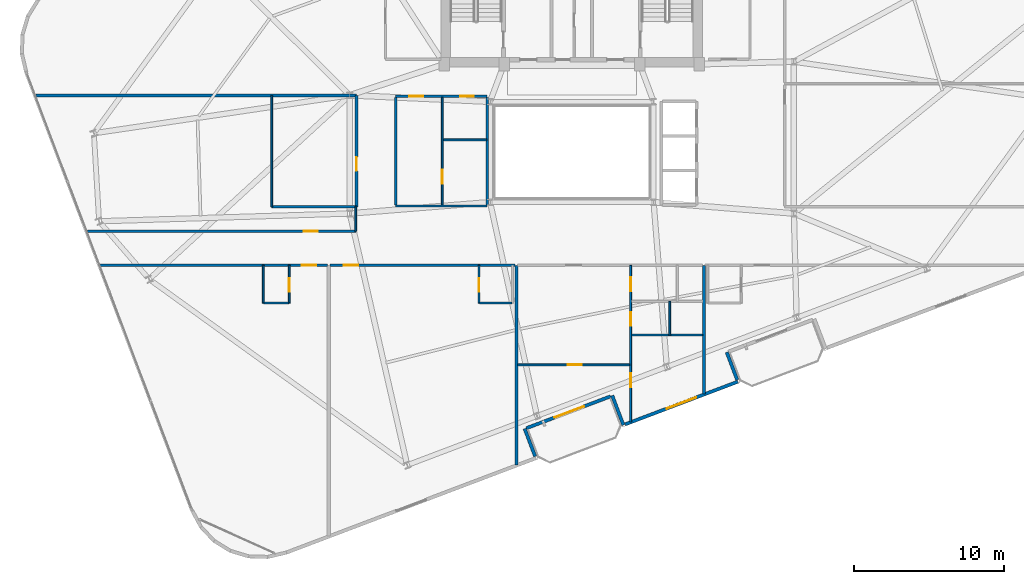
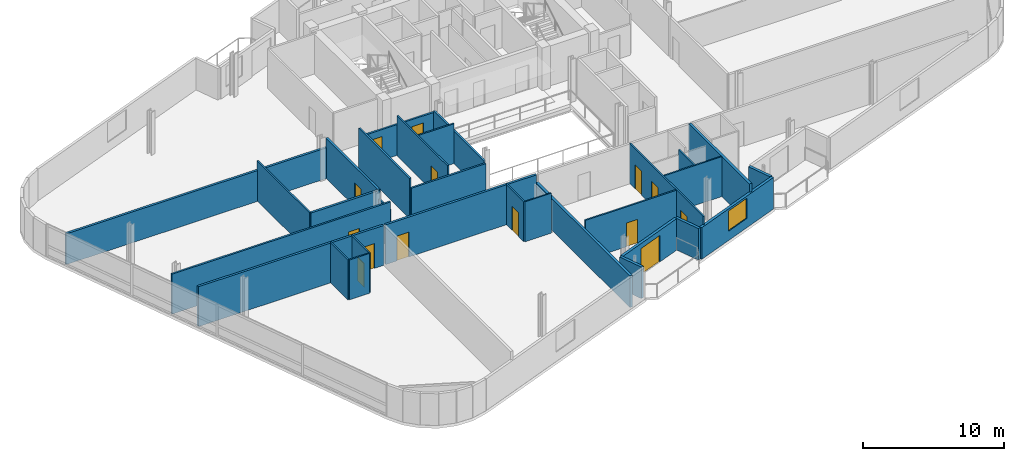
# One storey, part 18 of 23: 30 walls, 14 doors, 1 window, 15 openings.
"""IFC4 building model written with IfcOpenShell, lengths in metres."""

import ifcopenshell
import ifcopenshell.guid

model = None  # the IFC model being written
_history = None  # IfcOwnerHistory: only IFC2X3 demands one
_inside = {}  # id of a spatial element -> (the spatial element, [elements in it])
_under = {}  # id of a project, library or spatial element -> (it, [spatial elements below it])
_declared = {}  # id of a project -> (the project, [libraries it declares])
_typed = {}  # id of a type object -> (the type object, [elements of that type])
_made_of = {}  # id of a material, layer set ... -> (it, [elements and type objects made of it])


def new_model(schema):
    """Start an empty IFC model of exactly this schema.

    Asked for "IFC4X3", IfcOpenShell would pick the latest addendum, in which some entities
    have other attributes; the version numbers below select the first issue.
    IFC2X3 requires an IfcOwnerHistory on every rooted entity: one is made here for all.
    """
    global model, _history
    if schema == "IFC4X3":
        model = ifcopenshell.file(schema_version=(4, 3, 0, 0))
    else:
        model = ifcopenshell.file(schema=schema)
    _inside.clear()
    _under.clear()
    _declared.clear()
    _typed.clear()
    _made_of.clear()
    _history = None
    if model.schema == "IFC2X3":
        org = make("IfcOrganization", Name="unknown")
        user = make(
            "IfcPersonAndOrganization",
            ThePerson=make("IfcPerson", FamilyName="unknown"),
            TheOrganization=org,
        )
        app = make(
            "IfcApplication",
            ApplicationDeveloper=org,
            Version="unknown",
            ApplicationFullName="unknown",
            ApplicationIdentifier="unknown",
        )
        _history = make(
            "IfcOwnerHistory",
            OwningUser=user,
            OwningApplication=app,
            ChangeAction="ADDED",
            CreationDate=0,
        )
    return model


def make(cls, **values):
    """One entity of the class cls with the attributes given. An attribute that is None is left unset."""
    return model.create_entity(
        cls, **{name: value for name, value in values.items() if value is not None}
    )


def rooted(cls, **values):
    """An entity with a GlobalId (a new one), such as an element, a storey or a relation."""
    return make(cls, GlobalId=ifcopenshell.guid.new(), OwnerHistory=_history, **values)


def si_unit(unit_type, name, prefix=None):
    """IfcSIUnit, for example si_unit("LENGTHUNIT", "METRE", prefix="MILLI")."""
    return make("IfcSIUnit", UnitType=unit_type, Prefix=prefix, Name=name)


def assignment(units):
    """IfcUnitAssignment: the units of a project."""
    return None if units is None else make("IfcUnitAssignment", Units=units)


def point(xyz):
    """IfcCartesianPoint."""
    return None if xyz is None else make("IfcCartesianPoint", Coordinates=xyz)


def direction(xyz):
    """IfcDirection."""
    return None if xyz is None else make("IfcDirection", DirectionRatios=xyz)


def frame(location, z_axis=None, x_axis=None):
    """IfcAxis2Placement3D, a coordinate frame: its origin and axes. An axis left out is left unset."""
    return make(
        "IfcAxis2Placement3D",
        Location=point(location),
        Axis=direction(z_axis),
        RefDirection=direction(x_axis),
    )


def frame_2d(location, x_axis=None):
    """IfcAxis2Placement2D, a coordinate frame in the plane: its origin and x axis."""
    return make(
        "IfcAxis2Placement2D", Location=point(location), RefDirection=direction(x_axis)
    )


def origin():
    """The frame at (0, 0, 0) with its axes left unset."""
    return frame((0.0, 0.0, 0.0))


def place(relative_to, where):
    """IfcLocalPlacement: puts the frame where relative to a parent placement (None: the world)."""
    return make(
        "IfcLocalPlacement", PlacementRelTo=relative_to, RelativePlacement=where
    )


def context(
    kind, dimensions, precision=None, world=None, true_north=None, identifier=None
):
    """IfcGeometricRepresentationContext, for example the 3D "Model" context."""
    return make(
        "IfcGeometricRepresentationContext",
        ContextIdentifier=identifier,
        ContextType=kind,
        CoordinateSpaceDimension=dimensions,
        Precision=precision,
        WorldCoordinateSystem=world,
        TrueNorth=true_north,
    )


def subcontext(parent, identifier, kind, view, scale=None):
    """IfcGeometricRepresentationSubContext, for example "Body" below "Model"."""
    return make(
        "IfcGeometricRepresentationSubContext",
        ContextIdentifier=identifier,
        ContextType=kind,
        ParentContext=parent,
        TargetScale=scale,
        TargetView=view,
    )


def project(units=None, contexts=None):
    """IfcProject with its units and contexts."""
    return rooted(
        "IfcProject",
        Name="project",
        RepresentationContexts=contexts,
        UnitsInContext=assignment(units),
    )


def spatial(cls, under=None, at=None, **own):
    """A site, building, storey or space (cls), placed at a placement, below another one or the project."""
    s = rooted(cls, ObjectPlacement=at, **own)
    if under is not None:
        _under.setdefault(under.id(), (under, []))[1].append(s)
    return s


def profile(cls, at=None, kind="AREA", **sizes):
    """A parametric profile (cls). Its sizes go by their IFC names, for example OverallWidth=200.0."""
    return make(cls, ProfileType=kind, Position=at, **sizes)


def rectangle(**sizes):
    """IfcRectangleProfileDef."""
    return profile("IfcRectangleProfileDef", **sizes)


def extrude(swept, where, along, depth):
    """IfcExtrudedAreaSolid: the profile swept, set in the frame where, extruded along a direction by depth."""
    return make(
        "IfcExtrudedAreaSolid",
        SweptArea=swept,
        Position=where,
        ExtrudedDirection=direction(along),
        Depth=depth,
    )


def shape(context_of_items, identifier, shape_type, items):
    """IfcShapeRepresentation: the items that make up one representation, for example the "Body"."""
    return make(
        "IfcShapeRepresentation",
        ContextOfItems=context_of_items,
        RepresentationIdentifier=identifier,
        RepresentationType=shape_type,
        Items=items,
    )


def material(Name=None, Category=None):
    """IfcMaterial."""
    return make("IfcMaterial", Name=Name, Category=Category)


def layer(
    of_material, thickness, ventilated=None, Name=None, Category=None, Priority=None
):
    """IfcMaterialLayer: one layer of a wall or slab, of a material (None: an air gap)."""
    return make(
        "IfcMaterialLayer",
        Material=of_material,
        LayerThickness=thickness,
        IsVentilated=ventilated,
        Name=Name,
        Category=Category,
        Priority=Priority,
    )


def layer_set(layers, Name=None):
    """IfcMaterialLayerSet."""
    return make("IfcMaterialLayerSet", MaterialLayers=layers, LayerSetName=Name)


def made_of(thing, what):
    """Note that an element or type object is made of a material, layer set ...; save() writes the relation."""
    if what is not None:
        _made_of.setdefault(what.id(), (what, []))[1].append(thing)
    return thing


def type_object(cls, material=None, **own):
    """A type object (cls), such as IfcWallType, which elements share."""
    return made_of(rooted(cls, **own), material)


def element(
    cls,
    number,
    at=None,
    inside=None,
    cuts=None,
    type_object=None,
    material=None,
    context=None,
    identifier="Body",
    shape_type=None,
    held_by="IfcProductDefinitionShape",
    body=None,
    shapes=None,
    **own,
):
    """One element of the class cls, such as IfcWall. Its Tag is "e" and its number.

    at: its placement. inside: the storey or other place that contains it. cuts: it is an
    opening in that element (IfcRelVoidsElement). A single representation is given by context,
    identifier, shape_type and body (its items); several are given by shapes. held_by: the class
    of the entity that holds the representations. save() writes the other relations.
    """
    e = rooted(cls, Tag="e%d" % number, ObjectPlacement=at, **own)
    if body is not None:
        shapes = [shape(context, identifier, shape_type, body)]
    if shapes is not None:
        e.Representation = make(held_by, Representations=shapes)
    if inside is not None:
        _inside.setdefault(inside.id(), (inside, []))[1].append(e)
    if cuts is not None:
        rooted(
            "IfcRelVoidsElement", RelatingBuildingElement=cuts, RelatedOpeningElement=e
        )
    if type_object is not None:
        _typed.setdefault(type_object.id(), (type_object, []))[1].append(e)
    return made_of(e, material)


def fill(opening, filler):
    """IfcRelFillsElement: the door or window that sits in an opening."""
    return rooted(
        "IfcRelFillsElement",
        RelatingOpeningElement=opening,
        RelatedBuildingElement=filler,
    )


def aggregate(whole, parts):
    """IfcRelAggregates: a whole, such as a stair, and the parts it consists of."""
    return rooted("IfcRelAggregates", RelatingObject=whole, RelatedObjects=parts)


def save(model, path):
    """Write the relations noted so far, then the file.

    IfcRelAggregates (storeys below a building ...), IfcRelContainedInSpatialStructure (elements
    in a storey), IfcRelDefinesByType, IfcRelAssociatesMaterial and IfcRelDeclares: one each for
    every whole, place, type object, material and project.
    """
    for whole, parts in _under.values():
        aggregate(whole, parts)
    for where, things in _inside.values():
        rooted(
            "IfcRelContainedInSpatialStructure",
            RelatedElements=things,
            RelatingStructure=where,
        )
    for kind, things in _typed.values():
        rooted("IfcRelDefinesByType", RelatedObjects=things, RelatingType=kind)
    for what, things in _made_of.values():
        rooted("IfcRelAssociatesMaterial", RelatedObjects=things, RelatingMaterial=what)
    for by, libraries in _declared.values():
        rooted("IfcRelDeclares", RelatingContext=by, RelatedDefinitions=libraries)
    model.write(path)


model = new_model("IFC4")

# Units and contexts
model_context = context("Model", 3, precision=1e-05, world=origin(), true_north=direction((0.0, 1.0)))
body_context = subcontext(model_context, "Body", "Model", "MODEL_VIEW")
ifc_project = project(units=[si_unit("LENGTHUNIT", "METRE"), si_unit("AREAUNIT", "SQUARE_METRE"), si_unit("VOLUMEUNIT", "CUBIC_METRE"), si_unit("PLANEANGLEUNIT", "RADIAN"), si_unit("MASSUNIT", "GRAM", prefix="KILO")], contexts=[model_context])

# Site, building, storey
site_placement = place(None, origin())
site = spatial("IfcSite", under=ifc_project, at=site_placement, CompositionType="ELEMENT")
building_placement = place(site_placement, origin())
building = spatial("IfcBuilding", under=site, at=building_placement, Name="Varnelok Gate Tower", CompositionType="ELEMENT")
storey_placement = place(building_placement, frame((0.0, 0.0, 227.5)))
storey = spatial("IfcBuildingStorey", under=building, at=storey_placement, Name="L58", CompositionType="ELEMENT", Elevation=227.5)

# Wall, opening, door
ifc_material_1 = material(Name="Concrete C45/55", Category="concrete")
ifc_layer_1 = layer(ifc_material_1, 0.219970703125)
ifc_layer_set_1 = layer_set([ifc_layer_1], Name="Concrete C45/55")
wall_type_1 = type_object("IfcWallType", Name="EW-BALC-220", PredefinedType="SOLIDWALL", material=ifc_layer_set_1)
wall_1_placement = place(storey_placement, frame((41.783203125, 6.6142578125, 0.0), z_axis=(0.0, 0.0, 1.0), x_axis=(-0.93521416643, -0.354082565101, 0.0)))
wall_1 = element("IfcWall", 1, at=wall_1_placement, inside=storey, type_object=wall_type_1, Name="L58 South Terrace Envelope Wall 1", PredefinedType="SOLIDWALL", context=body_context, shape_type="SweptSolid", body=[
    extrude(rectangle(XDim=6.0, YDim=0.219970703125, at=frame_2d((3.0, 0.0))), origin(), (0.0, 0.0, 1.0), 2.72998046875),
])
opening_1_placement = place(wall_1_placement, frame((1.887939453125, 0.0, 0.0)))
opening_1 = element("IfcOpeningElement", 2, at=opening_1_placement, cuts=wall_1, Name="Opening BD-2", PredefinedType="OPENING", context=body_context, shape_type="SweptSolid", body=[
    extrude(rectangle(XDim=2.10009765625, YDim=2.300048828125, at=frame_2d((1.050048828125, 1.14990234375))), frame((0.0, 0.119873046875, 0.0), z_axis=(0.0, -1.0, 0.0), x_axis=(1.0, 0.0, 0.0)), (0.0, 0.0, 1.0), 0.239990234375),
])
ifc_material_2 = material(Name="Anodized Aluminum Alloy 6063-T6", Category="aluminium")
door_type_1 = type_object("IfcDoorType", Name="DR-EXT-SLID2100", OperationType="SLIDING_TO_LEFT", PredefinedType="DOOR", material=ifc_material_2)
door_1_placement = place(opening_1_placement, origin())
door_1 = element("IfcDoor", 3, at=door_1_placement, inside=storey, type_object=door_type_1, Name="L58 South Balcony Glazed Door 1", OperationType="SLIDING_TO_LEFT", OverallHeight=2.300048828125, OverallWidth=2.10009765625, PredefinedType="DOOR", context=body_context, shape_type="SweptSolid", body=[
    extrude(rectangle(XDim=2.10009765625, YDim=2.300048828125, at=frame_2d((1.050048828125, 1.14990234375))), frame((0.0, 0.02490234375, 0.0), z_axis=(0.0, -1.0, 0.0), x_axis=(1.0, 0.0, 0.0)), (0.0, 0.0, 1.0), 0.050048828125),
])
fill(opening_1, door_1)

# Walls
wall_2_placement = place(storey_placement, frame((36.75537109375, 2.609619140625, 0.0), z_axis=(0.0, 0.0, 1.0), x_axis=(-0.354020680661, 0.935237594232, 0.0)))
element("IfcWall", 4, at=wall_2_placement, inside=storey, type_object=wall_type_1, Name="L58 Perimeter Facade Closure Wall 8", PredefinedType="SOLIDWALL", context=body_context, shape_type="SweptSolid", body=[
    extrude(rectangle(XDim=1.97509765625, YDim=0.219970703125, at=frame_2d((0.987548828125, 0.0))), origin(), (0.0, 0.0, 1.0), 2.72998046875),
])
wall_3_placement = place(storey_placement, frame((41.891845703125, 6.666015625, 0.0), z_axis=(0.0, 0.0, 1.0), x_axis=(0.354128469405, -0.935196785258, 0.0)))
element("IfcWall", 5, at=wall_3_placement, inside=storey, type_object=wall_type_1, Name="L58 Perimeter Facade Closure Wall 9", PredefinedType="SOLIDWALL", context=body_context, shape_type="SweptSolid", body=[
    extrude(rectangle(XDim=2.099853515625, YDim=0.219970703125, at=frame_2d((1.0498046875, 0.0))), origin(), (0.0, 0.0, 1.0), 2.72998046875),
])

# Wall, opening, window
wall_4_placement = place(storey_placement, frame((42.75244140625, 4.746337890625, 0.0), z_axis=(0.0, 0.0, 1.0), x_axis=(0.935216926991, 0.354075273733, 0.0)))
wall_4 = element("IfcWall", 6, at=wall_4_placement, inside=storey, type_object=wall_type_1, Name="L58 Perimeter Facade Closure Wall 10", PredefinedType="SOLIDWALL", context=body_context, shape_type="SweptSolid", body=[
    extrude(rectangle(XDim=8.034912109375, YDim=0.219970703125, at=frame_2d((4.017578125, 0.0))), origin(), (0.0, 0.0, 1.0), 2.72998046875),
])
opening_2_placement = place(wall_4_placement, frame((2.967529296875, 0.0, 0.800048828125)))
opening_2 = element("IfcOpeningElement", 7, at=opening_2_placement, cuts=wall_4, Name="Opening WN4", PredefinedType="OPENING", context=body_context, shape_type="SweptSolid", body=[
    extrude(rectangle(XDim=2.10009765625, YDim=1.75, at=frame_2d((1.050048828125, 0.875))), frame((0.0, 0.119873046875, 0.0), z_axis=(0.0, -1.0, 0.0), x_axis=(1.0, 0.0, 0.0)), (0.0, 0.0, 1.0), 0.239990234375),
])
ifc_material_3 = material(Name="Low-E Laminated Double Glazing IGU", Category="glass")
window_type = type_object("IfcWindowType", Name="WN-SUI-2100", PartitioningType="SINGLE_PANEL", PredefinedType="WINDOW", material=ifc_material_3)
window_placement = place(opening_2_placement, origin())
window = element("IfcWindow", 8, at=window_placement, inside=storey, type_object=window_type, Name="L58 Perimeter Vision Window 10", OverallHeight=1.75, OverallWidth=2.10009765625, PartitioningType="SINGLE_PANEL", PredefinedType="WINDOW", context=body_context, shape_type="SweptSolid", body=[
    extrude(rectangle(XDim=2.10009765625, YDim=1.75, at=frame_2d((1.050048828125, 0.875))), frame((0.0, 0.030029296875, 0.0), z_axis=(0.0, -1.0, 0.0), x_axis=(1.0, 0.0, 0.0)), (0.0, 0.0, 1.0), 0.06005859375),
])
fill(opening_2, window)

# Wall
wall_5_placement = place(storey_placement, frame((50.22265625, 7.7080078125, 0.0), z_axis=(0.0, 0.0, 1.0), x_axis=(-0.354020680661, 0.935237594232, 0.0)))
element("IfcWall", 9, at=wall_5_placement, inside=storey, type_object=wall_type_1, Name="L58 Perimeter Facade Closure Wall 11", PredefinedType="SOLIDWALL", context=body_context, shape_type="SweptSolid", body=[
    extrude(rectangle(XDim=1.97509765625, YDim=0.219970703125, at=frame_2d((0.987548828125, 0.0))), origin(), (0.0, 0.0, 1.0), 2.72998046875),
])

# Wall, opening, door
ifc_material_4 = material(Name="Gypsum Plasterboard Acoustic Partition", Category="gypsum")
ifc_layer_2 = layer(ifc_material_4, 0.179931640625)
ifc_layer_set_2 = layer_set([ifc_layer_2], Name="Gypsum Plasterboard Acoustic Partition")
wall_type_2 = type_object("IfcWallType", Name="PW-CORR-180", PredefinedType="PARTITIONING", material=ifc_layer_set_2)
wall_6_placement = place(storey_placement, frame((7.763916015625, 15.35009765625, 0.0), z_axis=(0.0, 0.0, 1.0), x_axis=(1.0, 0.0, 0.0)))
wall_6 = element("IfcWall", 10, at=wall_6_placement, inside=storey, type_object=wall_type_2, Name="Interior Partition", PredefinedType="PARTITIONING", context=body_context, shape_type="SweptSolid", body=[
    extrude(rectangle(XDim=15.156005859375, YDim=0.179931640625, at=frame_2d((7.578125, 0.0))), origin(), (0.0, 0.0, 1.0), 3.449951171875),
])
opening_3_placement = place(wall_6_placement, frame((13.44970703125, 0.0, 0.0)))
opening_3 = element("IfcOpeningElement", 11, at=opening_3_placement, cuts=wall_6, Name="Opening D-HT", PredefinedType="OPENING", context=body_context, shape_type="SweptSolid", body=[
    extrude(rectangle(XDim=0.949951171875, YDim=2.14990234375, at=frame_2d((0.47509765625, 1.074951171875))), frame((0.0, 0.099853515625, 0.0), z_axis=(0.0, -1.0, 0.0), x_axis=(1.0, 0.0, 0.0)), (0.0, 0.0, 1.0), 0.199951171875),
])
ifc_material_5 = material(Name="Engineered Hardwood Timber", Category="wood")
door_type_2 = type_object("IfcDoorType", Name="DR-HTL-950", OperationType="NOTDEFINED", PredefinedType="DOOR", material=ifc_material_5)
door_2_placement = place(opening_3_placement, origin())
door_2 = element("IfcDoor", 12, at=door_2_placement, inside=storey, type_object=door_type_2, Name="L58 Guest Room 01 Entrance Door", OperationType="SINGLE_SWING_RIGHT", OverallHeight=2.14990234375, OverallWidth=0.949951171875, PredefinedType="DOOR", context=body_context, shape_type="SweptSolid", body=[
    extrude(rectangle(XDim=0.949951171875, YDim=2.14990234375, at=frame_2d((0.47509765625, 1.074951171875))), frame((0.0, 0.02490234375, 0.0), z_axis=(0.0, -1.0, 0.0), x_axis=(1.0, 0.0, 0.0)), (0.0, 0.0, 1.0), 0.050048828125),
])
fill(opening_3, door_2)

wall_7_placement = place(storey_placement, frame((23.080078125, 15.35009765625, 0.0), z_axis=(0.0, 0.0, 1.0), x_axis=(1.0, 0.0, 0.0)))
wall_7 = element("IfcWall", 13, at=wall_7_placement, inside=storey, type_object=wall_type_2, Name="Interior Partition", PredefinedType="PARTITIONING", context=body_context, shape_type="SweptSolid", body=[
    extrude(rectangle(XDim=12.33984375, YDim=0.179931640625, at=frame_2d((6.169921875, 0.0))), origin(), (0.0, 0.0, 1.0), 3.449951171875),
])
opening_4_placement = place(wall_7_placement, frame((0.933349609375, 0.0, 0.0)))
opening_4 = element("IfcOpeningElement", 14, at=opening_4_placement, cuts=wall_7, Name="Opening D-HT", PredefinedType="OPENING", context=body_context, shape_type="SweptSolid", body=[
    extrude(rectangle(XDim=0.949951171875, YDim=2.14990234375, at=frame_2d((0.47509765625, 1.074951171875))), frame((0.0, 0.099853515625, 0.0), z_axis=(0.0, -1.0, 0.0), x_axis=(1.0, 0.0, 0.0)), (0.0, 0.0, 1.0), 0.199951171875),
])
door_3_placement = place(opening_4_placement, origin())
door_3 = element("IfcDoor", 15, at=door_3_placement, inside=storey, type_object=door_type_2, Name="L58 Guest Room 02 Entrance Door", OperationType="SINGLE_SWING_LEFT", OverallHeight=2.14990234375, OverallWidth=0.949951171875, PredefinedType="DOOR", context=body_context, shape_type="SweptSolid", body=[
    extrude(rectangle(XDim=0.949951171875, YDim=2.14990234375, at=frame_2d((0.47509765625, 1.074951171875))), frame((0.0, 0.02490234375, 0.0), z_axis=(0.0, -1.0, 0.0), x_axis=(1.0, 0.0, 0.0)), (0.0, 0.0, 1.0), 0.050048828125),
])
fill(opening_4, door_3)

wall_8_placement = place(storey_placement, frame((24.85009765625, 19.239990234375, 0.0), z_axis=(0.0, 0.0, 1.0), x_axis=(0.0, 1.0, 0.0)))
wall_8 = element("IfcWall", 16, at=wall_8_placement, inside=storey, type_object=wall_type_2, Name="Interior Partition", PredefinedType="PARTITIONING", context=body_context, shape_type="SweptSolid", body=[
    extrude(rectangle(XDim=7.419921875, YDim=0.179931640625, at=frame_2d((3.7099609375, 0.0))), origin(), (0.0, 0.0, 1.0), 3.449951171875),
])
opening_5_placement = place(wall_8_placement, frame((2.39990234375, 0.0, 0.0)))
opening_5 = element("IfcOpeningElement", 17, at=opening_5_placement, cuts=wall_8, Name="Opening D-I3", PredefinedType="OPENING", context=body_context, shape_type="SweptSolid", body=[
    extrude(rectangle(XDim=0.919921875, YDim=2.050048828125, at=frame_2d((0.4599609375, 1.02490234375))), frame((0.0, 0.099853515625, 0.0), z_axis=(0.0, -1.0, 0.0), x_axis=(1.0, 0.0, 0.0)), (0.0, 0.0, 1.0), 0.199951171875),
])
door_type_3 = type_object("IfcDoorType", Name="DR-INT-920", OperationType="NOTDEFINED", PredefinedType="DOOR", material=ifc_material_5)
door_4_placement = place(opening_5_placement, origin())
door_4 = element("IfcDoor", 18, at=door_4_placement, inside=storey, type_object=door_type_3, Name="L58 West Playroom Door", OperationType="SINGLE_SWING_LEFT", OverallHeight=2.050048828125, OverallWidth=0.919921875, PredefinedType="DOOR", context=body_context, shape_type="SweptSolid", body=[
    extrude(rectangle(XDim=0.919921875, YDim=2.050048828125, at=frame_2d((0.4599609375, 1.02490234375))), frame((0.0, 0.02490234375, 0.0), z_axis=(0.0, -1.0, 0.0), x_axis=(1.0, 0.0, 0.0)), (0.0, 0.0, 1.0), 0.050048828125),
])
fill(opening_5, door_4)

# Walls
wall_9_placement = place(storey_placement, frame((19.199951171875, 19.239990234375, 0.0), z_axis=(0.0, 0.0, 1.0), x_axis=(1.0, 0.0, 0.0)))
element("IfcWall", 19, at=wall_9_placement, inside=storey, type_object=wall_type_2, Name="Interior Partition", PredefinedType="PARTITIONING", context=body_context, shape_type="SweptSolid", body=[
    extrude(rectangle(XDim=5.650146484375, YDim=0.179931640625, at=frame_2d((2.8251953125, 0.0))), origin(), (0.0, 0.0, 1.0), 3.449951171875),
])
wall_10_placement = place(storey_placement, frame((3.482177734375, 26.659912109375, 0.0), z_axis=(0.0, 0.0, 1.0), x_axis=(1.0, 0.0, 0.0)))
element("IfcWall", 20, at=wall_10_placement, inside=storey, type_object=wall_type_2, Name="Interior Partition", PredefinedType="PARTITIONING", context=body_context, shape_type="SweptSolid", body=[
    extrude(rectangle(XDim=21.367919921875, YDim=0.179931640625, at=frame_2d((10.68408203125, 0.0))), origin(), (0.0, 0.0, 1.0), 2.662109375),
])
ifc_layer_3 = layer(ifc_material_4, 0.114990234375)
ifc_layer_set_3 = layer_set([ifc_layer_3], Name="Gypsum Plasterboard Acoustic Partition")
wall_type_3 = type_object("IfcWallType", Name="PW-ENS-125", PredefinedType="PARTITIONING", material=ifc_layer_set_3)
wall_11_placement = place(storey_placement, frame((18.679931640625, 12.830078125, 0.0), z_axis=(0.0, 0.0, 1.0), x_axis=(1.0, 0.0, 0.0)))
element("IfcWall", 21, at=wall_11_placement, inside=storey, type_object=wall_type_3, Name="Interior Partition", PredefinedType="PARTITIONING", context=body_context, shape_type="SweptSolid", body=[
    extrude(rectangle(XDim=1.650146484375, YDim=0.114990234375, at=frame_2d((0.8251953125, 0.0))), origin(), (0.0, 0.0, 1.0), 3.449951171875),
])

# Wall, opening, door
wall_12_placement = place(storey_placement, frame((20.3701171875, 12.830078125, 0.0), z_axis=(0.0, 0.0, 1.0), x_axis=(0.0, 1.0, 0.0)))
wall_12 = element("IfcWall", 22, at=wall_12_placement, inside=storey, type_object=wall_type_3, Name="Interior Partition", PredefinedType="PARTITIONING", context=body_context, shape_type="SweptSolid", body=[
    extrude(rectangle(XDim=2.52001953125, YDim=0.114990234375, at=frame_2d((1.260009765625, 0.0))), origin(), (0.0, 0.0, 1.0), 3.449951171875),
])
opening_6_placement = place(wall_12_placement, frame((0.760009765625, 0.0, 0.0)))
opening_6 = element("IfcOpeningElement", 23, at=opening_6_placement, cuts=wall_12, Name="Opening D-WC", PredefinedType="OPENING", context=body_context, shape_type="SweptSolid", body=[
    extrude(rectangle(XDim=0.89990234375, YDim=2.050048828125, at=frame_2d((0.449951171875, 1.02490234375))), frame((0.0, 0.0673828125, 0.0), z_axis=(0.0, -1.0, 0.0), x_axis=(1.0, 0.0, 0.0)), (0.0, 0.0, 1.0), 0.135009765625),
])
door_type_4 = type_object("IfcDoorType", Name="DR-BATH-900", OperationType="NOTDEFINED", PredefinedType="DOOR", material=ifc_material_5)
door_5_placement = place(opening_6_placement, origin())
door_5 = element("IfcDoor", 24, at=door_5_placement, inside=storey, type_object=door_type_4, Name="L58 Guest En-Suite 01 Door", OperationType="SINGLE_SWING_LEFT", OverallHeight=2.050048828125, OverallWidth=0.89990234375, PredefinedType="DOOR", context=body_context, shape_type="SweptSolid", body=[
    extrude(rectangle(XDim=0.89990234375, YDim=2.050048828125, at=frame_2d((0.449951171875, 1.02490234375))), frame((0.0, 0.02490234375, 0.0), z_axis=(0.0, -1.0, 0.0), x_axis=(1.0, 0.0, 0.0)), (0.0, 0.0, 1.0), 0.050048828125),
])
fill(opening_6, door_5)

# Walls
wall_13_placement = place(storey_placement, frame((18.639892578125, 12.830078125, 0.0), z_axis=(0.0, 0.0, 1.0), x_axis=(0.0, 1.0, 0.0)))
element("IfcWall", 25, at=wall_13_placement, inside=storey, type_object=wall_type_3, Name="Interior Partition", PredefinedType="PARTITIONING", context=body_context, shape_type="SweptSolid", body=[
    extrude(rectangle(XDim=2.52001953125, YDim=0.114990234375, at=frame_2d((1.260009765625, 0.0))), origin(), (0.0, 0.0, 1.0), 3.449951171875),
])
wall_14_placement = place(storey_placement, frame((33.050048828125, 12.830078125, 0.0), z_axis=(0.0, 0.0, 1.0), x_axis=(1.0, 0.0, 0.0)))
element("IfcWall", 26, at=wall_14_placement, inside=storey, type_object=wall_type_3, Name="Interior Partition", PredefinedType="PARTITIONING", context=body_context, shape_type="SweptSolid", body=[
    extrude(rectangle(XDim=2.14990234375, YDim=0.114990234375, at=frame_2d((1.074951171875, 0.0))), origin(), (0.0, 0.0, 1.0), 3.449951171875),
])

# Wall, opening, door
wall_15_placement = place(storey_placement, frame((33.010009765625, 12.830078125, 0.0), z_axis=(0.0, 0.0, 1.0), x_axis=(0.0, 1.0, 0.0)))
wall_15 = element("IfcWall", 27, at=wall_15_placement, inside=storey, type_object=wall_type_3, Name="Interior Partition", PredefinedType="PARTITIONING", context=body_context, shape_type="SweptSolid", body=[
    extrude(rectangle(XDim=2.52001953125, YDim=0.114990234375, at=frame_2d((1.260009765625, 0.0))), origin(), (0.0, 0.0, 1.0), 3.449951171875),
])
opening_7_placement = place(wall_15_placement, frame((0.760009765625, 0.0, 0.0)))
opening_7 = element("IfcOpeningElement", 28, at=opening_7_placement, cuts=wall_15, Name="Opening D-WC", PredefinedType="OPENING", context=body_context, shape_type="SweptSolid", body=[
    extrude(rectangle(XDim=0.89990234375, YDim=2.050048828125, at=frame_2d((0.449951171875, 1.02490234375))), frame((0.0, 0.0673828125, 0.0), z_axis=(0.0, -1.0, 0.0), x_axis=(1.0, 0.0, 0.0)), (0.0, 0.0, 1.0), 0.135009765625),
])
door_6_placement = place(opening_7_placement, origin())
door_6 = element("IfcDoor", 29, at=door_6_placement, inside=storey, type_object=door_type_4, Name="L58 Guest En-Suite 02 Door", OperationType="SINGLE_SWING_RIGHT", OverallHeight=2.050048828125, OverallWidth=0.89990234375, PredefinedType="DOOR", context=body_context, shape_type="SweptSolid", body=[
    extrude(rectangle(XDim=0.89990234375, YDim=2.050048828125, at=frame_2d((0.449951171875, 1.02490234375))), frame((0.0, 0.02490234375, 0.0), z_axis=(0.0, -1.0, 0.0), x_axis=(1.0, 0.0, 0.0)), (0.0, 0.0, 1.0), 0.050048828125),
])
fill(opening_7, door_6)

# Walls
wall_16_placement = place(storey_placement, frame((43.18994140625, 10.699951171875, 0.0), z_axis=(0.0, 0.0, 1.0), x_axis=(1.0, 0.0, 0.0)))
element("IfcWall", 30, at=wall_16_placement, inside=storey, type_object=wall_type_3, Name="Interior Partition", PredefinedType="PARTITIONING", context=body_context, shape_type="SweptSolid", body=[
    extrude(rectangle(XDim=4.72998046875, YDim=0.114990234375, at=frame_2d((2.364990234375, 0.0))), origin(), (0.0, 0.0, 1.0), 3.449951171875),
])
wall_17_placement = place(storey_placement, frame((45.72998046875, 10.699951171875, 0.0), z_axis=(0.0, 0.0, 1.0), x_axis=(0.0, 1.0, 0.0)))
element("IfcWall", 31, at=wall_17_placement, inside=storey, type_object=wall_type_3, Name="Interior Partition", PredefinedType="PARTITIONING", context=body_context, shape_type="SweptSolid", body=[
    extrude(rectangle(XDim=2.239990234375, YDim=0.114990234375, at=frame_2d((1.1201171875, 0.0))), origin(), (0.0, 0.0, 1.0), 3.449951171875),
])
ifc_layer_4 = layer(ifc_material_4, 0.125)
ifc_layer_set_4 = layer_set([ifc_layer_4], Name="Gypsum Plasterboard Acoustic Partition")
wall_type_4 = type_object("IfcWallType", Name="PW-PART-125", PredefinedType="PARTITIONING", material=ifc_layer_set_4)
wall_18_placement = place(storey_placement, frame((24.800048828125, 17.610107421875, 0.0), z_axis=(0.0, 0.0, 1.0), x_axis=(0.0, 1.0, 0.0)))
element("IfcWall", 32, at=wall_18_placement, inside=storey, type_object=wall_type_4, Name="Interior Partition", PredefinedType="PARTITIONING", context=body_context, shape_type="SweptSolid", body=[
    extrude(rectangle(XDim=1.6298828125, YDim=0.125, at=frame_2d((0.81494140625, 0.0))), origin(), (0.0, 0.0, 1.0), 2.739013671875),
])

# Wall, opening, door
wall_19_placement = place(storey_placement, frame((35.580078125, 8.7119140625, 0.0), z_axis=(0.0, 0.0, 1.0), x_axis=(1.0, 0.0, 0.0)))
wall_19 = element("IfcWall", 33, at=wall_19_placement, inside=storey, type_object=wall_type_4, Name="Interior Partition", PredefinedType="PARTITIONING", context=body_context, shape_type="SweptSolid", body=[
    extrude(rectangle(XDim=7.469970703125, YDim=0.125, at=frame_2d((3.73486328125, 0.0))), origin(), (0.0, 0.0, 1.0), 3.449951171875),
])
opening_8_placement = place(wall_19_placement, frame((3.361572265625, 0.0, 0.0)))
opening_8 = element("IfcOpeningElement", 34, at=opening_8_placement, cuts=wall_19, Name="Opening D-I3", PredefinedType="OPENING", context=body_context, shape_type="SweptSolid", body=[
    extrude(rectangle(XDim=0.919921875, YDim=2.050048828125, at=frame_2d((0.4599609375, 1.02490234375))), frame((0.0, 0.072509765625, 0.0), z_axis=(0.0, -1.0, 0.0), x_axis=(1.0, 0.0, 0.0)), (0.0, 0.0, 1.0), 0.14501953125),
])
door_7_placement = place(opening_8_placement, origin())
door_7 = element("IfcDoor", 35, at=door_7_placement, inside=storey, type_object=door_type_3, Name="L58 Apartment 3 Study Door", OperationType="SINGLE_SWING_LEFT", OverallHeight=2.050048828125, OverallWidth=0.919921875, PredefinedType="DOOR", context=body_context, shape_type="SweptSolid", body=[
    extrude(rectangle(XDim=0.919921875, YDim=2.050048828125, at=frame_2d((0.4599609375, 1.02490234375))), frame((0.0, 0.02490234375, 0.0), z_axis=(0.0, -1.0, 0.0), x_axis=(1.0, 0.0, 0.0)), (0.0, 0.0, 1.0), 0.050048828125),
])
fill(opening_8, door_7)

# Wall, openings, doors
wall_20_placement = place(storey_placement, frame((43.1201171875, 4.906982421875, 0.0), z_axis=(0.0, 0.0, 1.0), x_axis=(0.0, 1.0, 0.0)))
wall_20 = element("IfcWall", 36, at=wall_20_placement, inside=storey, type_object=wall_type_4, Name="Interior Partition", PredefinedType="PARTITIONING", context=body_context, shape_type="SweptSolid", body=[
    extrude(rectangle(XDim=10.443115234375, YDim=0.125, at=frame_2d((5.2216796875, 0.0))), origin(), (0.0, 0.0, 1.0), 3.449951171875),
])
opening_9_placement = place(wall_20_placement, frame((2.31982421875, 0.0, 0.0)))
opening_9 = element("IfcOpeningElement", 37, at=opening_9_placement, cuts=wall_20, Name="Opening D-I3", PredefinedType="OPENING", context=body_context, shape_type="SweptSolid", body=[
    extrude(rectangle(XDim=0.919921875, YDim=2.050048828125, at=frame_2d((0.4599609375, 1.02490234375))), frame((0.0, 0.072509765625, 0.0), z_axis=(0.0, -1.0, 0.0), x_axis=(1.0, 0.0, 0.0)), (0.0, 0.0, 1.0), 0.14501953125),
])
opening_10_placement = place(wall_20_placement, frame((6.42041015625, 0.0, 0.0)))
opening_10 = element("IfcOpeningElement", 38, at=opening_10_placement, cuts=wall_20, Name="Opening D-WC", PredefinedType="OPENING", context=body_context, shape_type="SweptSolid", body=[
    extrude(rectangle(XDim=0.89990234375, YDim=2.050048828125, at=frame_2d((0.449951171875, 1.02490234375))), frame((0.0, 0.072509765625, 0.0), z_axis=(0.0, -1.0, 0.0), x_axis=(1.0, 0.0, 0.0)), (0.0, 0.0, 1.0), 0.14501953125),
])
opening_11_placement = place(wall_20_placement, frame((8.713134765625, 0.0, 0.0)))
opening_11 = element("IfcOpeningElement", 39, at=opening_11_placement, cuts=wall_20, Name="Opening D-I3", PredefinedType="OPENING", context=body_context, shape_type="SweptSolid", body=[
    extrude(rectangle(XDim=0.919921875, YDim=2.050048828125, at=frame_2d((0.4599609375, 1.02490234375))), frame((0.0, 0.072509765625, 0.0), z_axis=(0.0, -1.0, 0.0), x_axis=(1.0, 0.0, 0.0)), (0.0, 0.0, 1.0), 0.14501953125),
])
door_8_placement = place(opening_10_placement, origin())
door_8 = element("IfcDoor", 40, at=door_8_placement, inside=storey, type_object=door_type_4, Name="L58 Apartment 3 Bathroom Door", OperationType="SINGLE_SWING_LEFT", OverallHeight=2.050048828125, OverallWidth=0.89990234375, PredefinedType="DOOR", context=body_context, shape_type="SweptSolid", body=[
    extrude(rectangle(XDim=0.89990234375, YDim=2.050048828125, at=frame_2d((0.449951171875, 1.02490234375))), frame((0.0, 0.02490234375, 0.0), z_axis=(0.0, -1.0, 0.0), x_axis=(1.0, 0.0, 0.0)), (0.0, 0.0, 1.0), 0.050048828125),
])
fill(opening_10, door_8)
door_9_placement = place(opening_9_placement, origin())
door_9 = element("IfcDoor", 41, at=door_9_placement, inside=storey, type_object=door_type_3, Name="L58 Apartment 3 Bedroom Door", OperationType="SINGLE_SWING_RIGHT", OverallHeight=2.050048828125, OverallWidth=0.919921875, PredefinedType="DOOR", context=body_context, shape_type="SweptSolid", body=[
    extrude(rectangle(XDim=0.919921875, YDim=2.050048828125, at=frame_2d((0.4599609375, 1.02490234375))), frame((0.0, 0.02490234375, 0.0), z_axis=(0.0, -1.0, 0.0), x_axis=(1.0, 0.0, 0.0)), (0.0, 0.0, 1.0), 0.050048828125),
])
fill(opening_9, door_9)
door_10_placement = place(opening_11_placement, origin())
door_10 = element("IfcDoor", 42, at=door_10_placement, inside=storey, type_object=door_type_3, Name="L58 Apartment 3 Kitchen Door", OperationType="SINGLE_SWING_RIGHT", OverallHeight=2.050048828125, OverallWidth=0.919921875, PredefinedType="DOOR", context=body_context, shape_type="SweptSolid", body=[
    extrude(rectangle(XDim=0.919921875, YDim=2.050048828125, at=frame_2d((0.4599609375, 1.02490234375))), frame((0.0, 0.02490234375, 0.0), z_axis=(0.0, -1.0, 0.0), x_axis=(1.0, 0.0, 0.0)), (0.0, 0.0, 1.0), 0.050048828125),
])
fill(opening_11, door_10)

# Wall
wall_21_placement = place(storey_placement, frame((19.199951171875, 19.239990234375, 0.0), z_axis=(0.0, 0.0, 1.0), x_axis=(0.0, 1.0, 0.0)))
element("IfcWall", 43, at=wall_21_placement, inside=storey, type_object=wall_type_4, Name="Interior Partition", PredefinedType="PARTITIONING", context=body_context, shape_type="SweptSolid", body=[
    extrude(rectangle(XDim=7.419921875, YDim=0.125, at=frame_2d((3.7099609375, 0.0))), origin(), (0.0, 0.0, 1.0), 3.449951171875),
])

# Wall, opening, door
wall_22_placement = place(storey_placement, frame((30.56005859375, 19.3798828125, 0.0), z_axis=(0.0, 0.0, 1.0), x_axis=(0.0, 1.0, 0.0)))
wall_22 = element("IfcWall", 44, at=wall_22_placement, inside=storey, type_object=wall_type_4, Name="Interior Partition", PredefinedType="PARTITIONING", context=body_context, shape_type="SweptSolid", body=[
    extrude(rectangle(XDim=7.16015625, YDim=0.125, at=frame_2d((3.580078125, 0.0))), origin(), (0.0, 0.0, 1.0), 3.449951171875),
])
opening_12_placement = place(wall_22_placement, frame((1.39990234375, 0.0, 0.0)))
opening_12 = element("IfcOpeningElement", 45, at=opening_12_placement, cuts=wall_22, Name="Opening D-I3", PredefinedType="OPENING", context=body_context, shape_type="SweptSolid", body=[
    extrude(rectangle(XDim=0.919921875, YDim=2.050048828125, at=frame_2d((0.4599609375, 1.02490234375))), frame((0.0, 0.072509765625, 0.0), z_axis=(0.0, -1.0, 0.0), x_axis=(1.0, 0.0, 0.0)), (0.0, 0.0, 1.0), 0.14501953125),
])
door_11_placement = place(opening_12_placement, origin())
door_11 = element("IfcDoor", 46, at=door_11_placement, inside=storey, type_object=door_type_3, Name="L58 Floor Linen Store Door", OperationType="SINGLE_SWING_RIGHT", OverallHeight=2.050048828125, OverallWidth=0.919921875, PredefinedType="DOOR", context=body_context, shape_type="SweptSolid", body=[
    extrude(rectangle(XDim=0.919921875, YDim=2.050048828125, at=frame_2d((0.4599609375, 1.02490234375))), frame((0.0, 0.02490234375, 0.0), z_axis=(0.0, -1.0, 0.0), x_axis=(1.0, 0.0, 0.0)), (0.0, 0.0, 1.0), 0.050048828125),
])
fill(opening_12, door_11)

# Wall
wall_23_placement = place(storey_placement, frame((30.639892578125, 23.7099609375, 0.0), z_axis=(0.0, 0.0, 1.0), x_axis=(1.0, 0.0, 0.0)))
element("IfcWall", 47, at=wall_23_placement, inside=storey, type_object=wall_type_4, Name="Interior Partition", PredefinedType="PARTITIONING", context=body_context, shape_type="SweptSolid", body=[
    extrude(rectangle(XDim=2.880126953125, YDim=0.125, at=frame_2d((1.43994140625, 0.0))), origin(), (0.0, 0.0, 1.0), 3.449951171875),
])

# Wall, opening, door
ifc_layer_5 = layer(ifc_material_4, 0.14990234375)
ifc_layer_set_5 = layer_set([ifc_layer_5], Name="Gypsum Plasterboard Acoustic Partition")
wall_type_5 = type_object("IfcWallType", Name="PW-PART-150", PredefinedType="PARTITIONING", material=ifc_layer_set_5)
wall_24_placement = place(storey_placement, frame((6.908447265625, 17.610107421875, 0.0), z_axis=(0.0, 0.0, 1.0), x_axis=(1.0, 0.0, 0.0)))
wall_24 = element("IfcWall", 48, at=wall_24_placement, inside=storey, type_object=wall_type_5, Name="Interior Partition", PredefinedType="PARTITIONING", context=body_context, shape_type="SweptSolid", body=[
    extrude(rectangle(XDim=17.8916015625, YDim=0.14990234375, at=frame_2d((8.94580078125, 0.0))), origin(), (0.0, 0.0, 1.0), 3.449951171875),
])
opening_13_placement = place(wall_24_placement, frame((14.426513671875, 0.0, 0.0)))
opening_13 = element("IfcOpeningElement", 49, at=opening_13_placement, cuts=wall_24, Name="Opening D-I3", PredefinedType="OPENING", context=body_context, shape_type="SweptSolid", body=[
    extrude(rectangle(XDim=0.919921875, YDim=2.050048828125, at=frame_2d((0.4599609375, 1.02490234375))), frame((0.0, 0.0849609375, 0.0), z_axis=(0.0, -1.0, 0.0), x_axis=(1.0, 0.0, 0.0)), (0.0, 0.0, 1.0), 0.169921875),
])
door_12_placement = place(opening_13_placement, origin())
door_12 = element("IfcDoor", 50, at=door_12_placement, inside=storey, type_object=door_type_3, Name="L58 Atrium Room 1 Door", OperationType="SINGLE_SWING_LEFT", OverallHeight=2.050048828125, OverallWidth=0.919921875, PredefinedType="DOOR", context=body_context, shape_type="SweptSolid", body=[
    extrude(rectangle(XDim=0.919921875, YDim=2.050048828125, at=frame_2d((0.4599609375, 1.02490234375))), frame((0.0, 0.02490234375, 0.0), z_axis=(0.0, -1.0, 0.0), x_axis=(1.0, 0.0, 0.0)), (0.0, 0.0, 1.0), 0.050048828125),
])
fill(opening_13, door_12)

# Wall, openings, doors
wall_25_placement = place(storey_placement, frame((27.4599609375, 26.6201171875, 0.0), z_axis=(0.0, 0.0, 1.0), x_axis=(1.0, 0.0, 0.0)))
wall_25 = element("IfcWall", 51, at=wall_25_placement, inside=storey, type_object=wall_type_5, Name="Interior Partition", PredefinedType="PARTITIONING", context=body_context, shape_type="SweptSolid", body=[
    extrude(rectangle(XDim=6.10009765625, YDim=0.14990234375, at=frame_2d((3.050048828125, 0.0))), origin(), (0.0, 0.0, 1.0), 2.662109375),
])
opening_14_placement = place(wall_25_placement, frame((0.89990234375, 0.0, 0.0)))
opening_14 = element("IfcOpeningElement", 52, at=opening_14_placement, cuts=wall_25, Name="Opening D-I2", PredefinedType="OPENING", context=body_context, shape_type="SweptSolid", body=[
    extrude(rectangle(XDim=0.949951171875, YDim=2.050048828125, at=frame_2d((0.47509765625, 1.02490234375))), frame((0.0, 0.0849609375, 0.0), z_axis=(0.0, -1.0, 0.0), x_axis=(1.0, 0.0, 0.0)), (0.0, 0.0, 1.0), 0.169921875),
])
opening_15_placement = place(wall_25_placement, frame((4.302978515625, 0.0, 0.0)))
opening_15 = element("IfcOpeningElement", 53, at=opening_15_placement, cuts=wall_25, Name="Opening D-WC", PredefinedType="OPENING", context=body_context, shape_type="SweptSolid", body=[
    extrude(rectangle(XDim=0.89990234375, YDim=2.050048828125, at=frame_2d((0.449951171875, 1.02490234375))), frame((0.0, 0.0849609375, 0.0), z_axis=(0.0, -1.0, 0.0), x_axis=(1.0, 0.0, 0.0)), (0.0, 0.0, 1.0), 0.169921875),
])
door_13_placement = place(opening_15_placement, origin())
door_13 = element("IfcDoor", 54, at=door_13_placement, inside=storey, type_object=door_type_4, Name="L58 Accessible Floor WC Door", OperationType="SINGLE_SWING_LEFT", OverallHeight=2.050048828125, OverallWidth=0.89990234375, PredefinedType="DOOR", context=body_context, shape_type="SweptSolid", body=[
    extrude(rectangle(XDim=0.89990234375, YDim=2.050048828125, at=frame_2d((0.449951171875, 1.02490234375))), frame((0.0, 0.02490234375, 0.0), z_axis=(0.0, -1.0, 0.0), x_axis=(1.0, 0.0, 0.0)), (0.0, 0.0, 1.0), 0.050048828125),
])
fill(opening_15, door_13)
door_type_5 = type_object("IfcDoorType", Name="DR-INT-950", OperationType="NOTDEFINED", PredefinedType="DOOR", material=ifc_material_5)
door_14_placement = place(opening_14_placement, origin())
door_14 = element("IfcDoor", 55, at=door_14_placement, inside=storey, type_object=door_type_5, Name="L58 Sky Library Door", OperationType="SINGLE_SWING_RIGHT", OverallHeight=2.050048828125, OverallWidth=0.949951171875, PredefinedType="DOOR", context=body_context, shape_type="SweptSolid", body=[
    extrude(rectangle(XDim=0.949951171875, YDim=2.050048828125, at=frame_2d((0.47509765625, 1.02490234375))), frame((0.0, 0.02490234375, 0.0), z_axis=(0.0, -1.0, 0.0), x_axis=(1.0, 0.0, 0.0)), (0.0, 0.0, 1.0), 0.050048828125),
])
fill(opening_14, door_14)

# Walls
wall_26_placement = place(storey_placement, frame((27.4599609375, 19.300048828125, 0.0), z_axis=(0.0, 0.0, 1.0), x_axis=(1.0, 0.0, 0.0)))
element("IfcWall", 56, at=wall_26_placement, inside=storey, type_object=wall_type_5, Name="Interior Partition", PredefinedType="PARTITIONING", context=body_context, shape_type="SweptSolid", body=[
    extrude(rectangle(XDim=6.10009765625, YDim=0.14990234375, at=frame_2d((3.050048828125, 0.0))), origin(), (0.0, 0.0, 1.0), 2.662109375),
])
wall_27_placement = place(storey_placement, frame((27.4599609375, 19.3798828125, 0.0), z_axis=(0.0, 0.0, 1.0), x_axis=(0.0, 1.0, 0.0)))
element("IfcWall", 57, at=wall_27_placement, inside=storey, type_object=wall_type_5, Name="Interior Partition", PredefinedType="PARTITIONING", context=body_context, shape_type="SweptSolid", body=[
    extrude(rectangle(XDim=7.16015625, YDim=0.14990234375, at=frame_2d((3.580078125, 0.0))), origin(), (0.0, 0.0, 1.0), 3.449951171875),
])
wall_28_placement = place(storey_placement, frame((33.56005859375, 19.3798828125, 0.0), z_axis=(0.0, 0.0, 1.0), x_axis=(0.0, 1.0, 0.0)))
element("IfcWall", 58, at=wall_28_placement, inside=storey, type_object=wall_type_5, Name="Interior Partition", PredefinedType="PARTITIONING", context=body_context, shape_type="SweptSolid", body=[
    extrude(rectangle(XDim=7.16015625, YDim=0.14990234375, at=frame_2d((3.580078125, 0.0))), origin(), (0.0, 0.0, 1.0), 2.823974609375),
])
ifc_layer_6 = layer(ifc_material_4, 0.205078125)
ifc_layer_set_6 = layer_set([ifc_layer_6], Name="Gypsum Plasterboard Acoustic Partition")
wall_type_6 = type_object("IfcWallType", Name="PW-PARTY-200", PredefinedType="PARTITIONING", material=ifc_layer_set_6)
wall_29_placement = place(storey_placement, frame((35.5, 2.022216796875, 0.0), z_axis=(0.0, 0.0, 1.0), x_axis=(0.0, 1.0, 0.0)))
element("IfcWall", 59, at=wall_29_placement, inside=storey, type_object=wall_type_6, Name="L58 South Party Wall 2", PredefinedType="PARTITIONING", context=body_context, shape_type="SweptSolid", body=[
    extrude(rectangle(XDim=13.327880859375, YDim=0.205078125, at=frame_2d((6.6640625, 0.0))), origin(), (0.0, 0.0, 1.0), 2.739013671875),
])
wall_30_placement = place(storey_placement, frame((48.0, 6.75439453125, 0.0), z_axis=(0.0, 0.0, 1.0), x_axis=(0.0, 1.0, 0.0)))
element("IfcWall", 60, at=wall_30_placement, inside=storey, type_object=wall_type_6, Name="L58 South Party Wall 3", PredefinedType="PARTITIONING", context=body_context, shape_type="SweptSolid", body=[
    extrude(rectangle(XDim=8.595703125, YDim=0.205078125, at=frame_2d((4.2978515625, 0.0))), origin(), (0.0, 0.0, 1.0), 3.449951171875),
])

save(model, "model.ifc")
